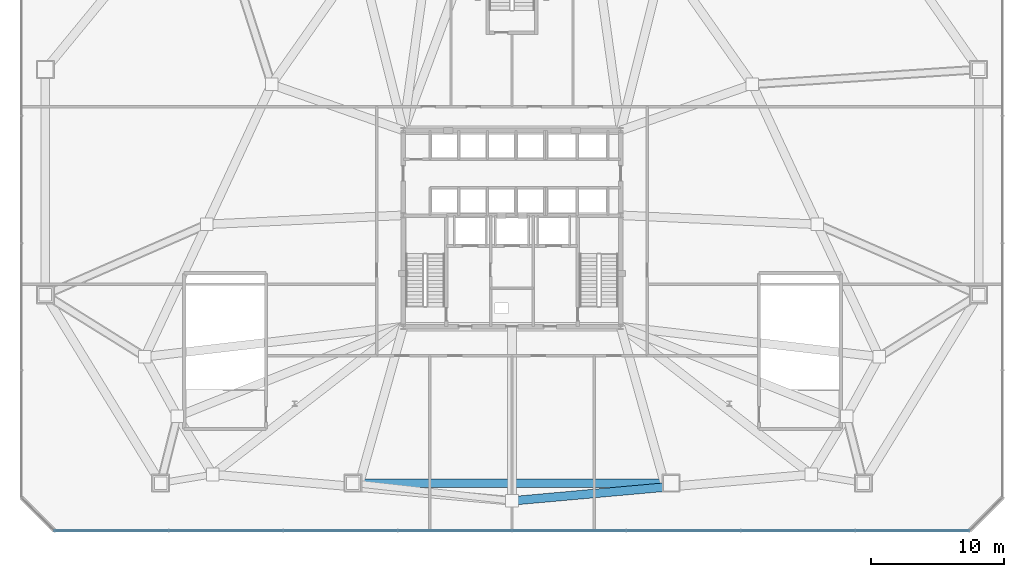
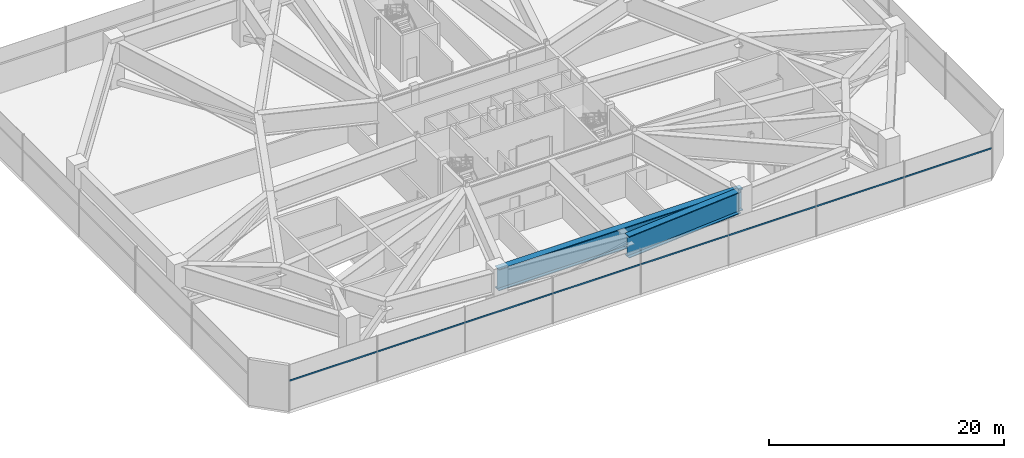
# One storey, part 9 of 29: 2 beams, 1 member, 1 element without a shape of its own.
"""IFC4 building model written with IfcOpenShell, lengths in metres."""

from ifc_helpers import new_model, si_unit, direction, frame, origin, origin_2d, place, context, subcontext, project, spatial, rectangle, i_section, extrude, source, transform, mapped, material, layer, layer_set, material_profile, profile_set, type_object, type_shapes, element, aggregate, save


model = new_model("IFC4")

# Units and contexts
model_context = context("Model", 3, precision=1e-05, world=origin(), true_north=direction((0.0, 1.0)))
body_context = subcontext(model_context, "Body", "Model", "MODEL_VIEW")
ifc_project = project(units=[si_unit("LENGTHUNIT", "METRE"), si_unit("AREAUNIT", "SQUARE_METRE"), si_unit("VOLUMEUNIT", "CUBIC_METRE"), si_unit("PLANEANGLEUNIT", "RADIAN"), si_unit("MASSUNIT", "GRAM", prefix="KILO")], contexts=[model_context])

# Site, building, storey
site_placement = place(None, origin())
site = spatial("IfcSite", under=ifc_project, at=site_placement, CompositionType="ELEMENT")
building_placement = place(site_placement, origin())
building = spatial("IfcBuilding", under=site, at=building_placement, Name="Varakhsha Concourse Tower", CompositionType="ELEMENT")
storey_placement = place(building_placement, frame((0.0, 0.0, 22.0)))
storey = spatial("IfcBuildingStorey", under=building, at=storey_placement, Name="L05", CompositionType="ELEMENT", Elevation=22.0)

# Beams
ifc_material_1 = material(Name="Structural Steel ASTM A992 Grade 50", Category="steel")
ifc_material_profile_1 = material_profile(ifc_material_1, i_section(OverallWidth=0.64990234375, OverallDepth=2.25, WebThickness=0.0400390625, FlangeThickness=0.074951171875, at=origin_2d()), Name="PG 2250x650x75x40")
ifc_profile_set_1 = profile_set([ifc_material_profile_1], Name="Structural Steel ASTM A992 Grade 50")
beam_type = type_object("IfcBeamType", Name="BM-XFER-PG1650", PredefinedType="USERDEFINED", material=ifc_profile_set_1)
beam_1_placement = place(storey_placement, frame((28.0, 4.60009765625, 3.655029296875), z_axis=(1.0, 0.0, 0.0), x_axis=(0.0, 1.0, 0.0)))
element("IfcBeam", 1, at=beam_1_placement, inside=storey, type_object=beam_type, Name="L05 Stilt Perimeter Transfer Girder 02", ObjectType="GIRDER", PredefinedType="USERDEFINED", context=body_context, shape_type="SweptSolid", body=[
    extrude(i_section(OverallWidth=0.64990234375, OverallDepth=2.25, WebThickness=0.0400390625, FlangeThickness=0.074951171875, at=origin_2d()), origin(), (0.0, 0.0, 1.0), 24.0),
])
beam_2_placement = place(storey_placement, frame((40.0, 3.260009765625, 3.655029296875), z_axis=(0.995998835259, 0.089366213767, 0.0), x_axis=(-0.089366213767, 0.995998835259, 0.0)))
element("IfcBeam", 2, at=beam_2_placement, inside=storey, type_object=beam_type, Name="L05 Tower Base Transfer Ring Girder 11", ObjectType="GIRDER", PredefinedType="USERDEFINED", context=body_context, shape_type="SweptSolid", body=[
    extrude(i_section(OverallWidth=0.64990234375, OverallDepth=2.25, WebThickness=0.0400390625, FlangeThickness=0.074951171875, at=origin_2d()), origin(), (0.0, 0.0, 1.0), 11.632568359375),
])

# Curtain wall, member
ifc_material_2 = material(Name="Anodised Bronze Architectural Aluminium AA 6063-T6", Category="aluminium")
ifc_layer = layer(ifc_material_2, 0.260009765625, Name="CW-SYS-06")
ifc_layer_set = layer_set([ifc_layer], Name="Anodised Bronze Architectural Aluminium AA 6063-T6")
curtain_wall_type = type_object("IfcCurtainWallType", Name="CW-SYS-06", PredefinedType="NOTDEFINED", material=ifc_layer_set)
curtain_wall_placement = place(storey_placement, origin())
curtain_wall = element("IfcCurtainWall", 3, at=curtain_wall_placement, inside=storey, type_object=curtain_wall_type, Name="L05 Podium Curtain Wall 01", PredefinedType="NOTDEFINED")
ifc_material_profile_2 = material_profile(ifc_material_2, rectangle(XDim=0.06494140625, YDim=0.159912109375, at=origin_2d()), Name="CWT-160X65")
ifc_profile_set_2 = profile_set([ifc_material_profile_2], Name="Anodised Bronze Architectural Aluminium AA 6063-T6")
member_type = type_object("IfcMemberType", Name="CWT-160X65", PredefinedType="USERDEFINED", material=ifc_profile_set_2)
shared_shape = source(origin(), body_context, "Body", "SweptSolid", [
    extrude(rectangle(XDim=0.06494140625, YDim=0.159912109375, at=origin_2d()), origin(), (0.0, 0.0, 1.0), 69.0),
])
type_shapes(member_type, [shared_shape])
member_placement = place(storey_placement, frame((5.5, 1.0, 3.10009765625), z_axis=(1.0, 0.0, 0.0), x_axis=(0.0, 1.0, 0.0)))
member = element("IfcMember", 4, at=member_placement, type_object=member_type, Name="CW-POD-L05-01 Transom 01", ObjectType="TRANSOM", PredefinedType="USERDEFINED", context=body_context, shape_type="MappedRepresentation", body=[
    mapped(shared_shape, transform((0.0, 0.0, 0.0), scale=1.0)),
])
aggregate(curtain_wall, [member])

save(model, "model.ifc")
